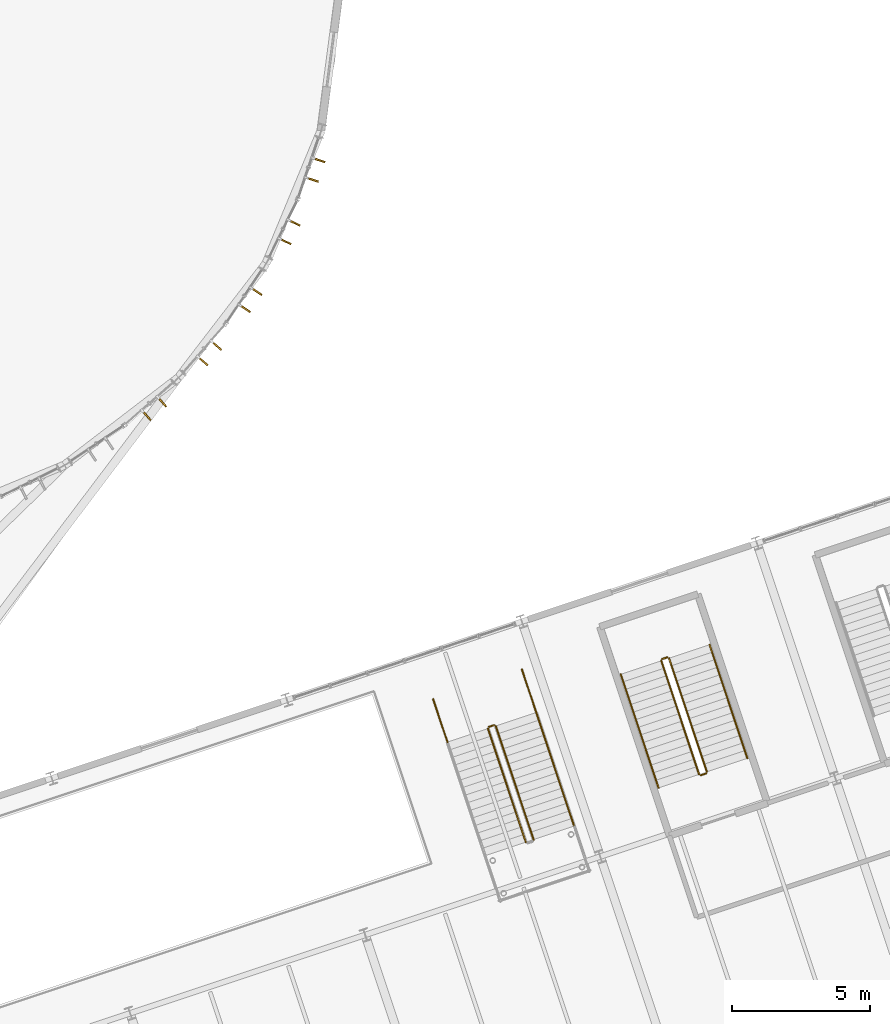
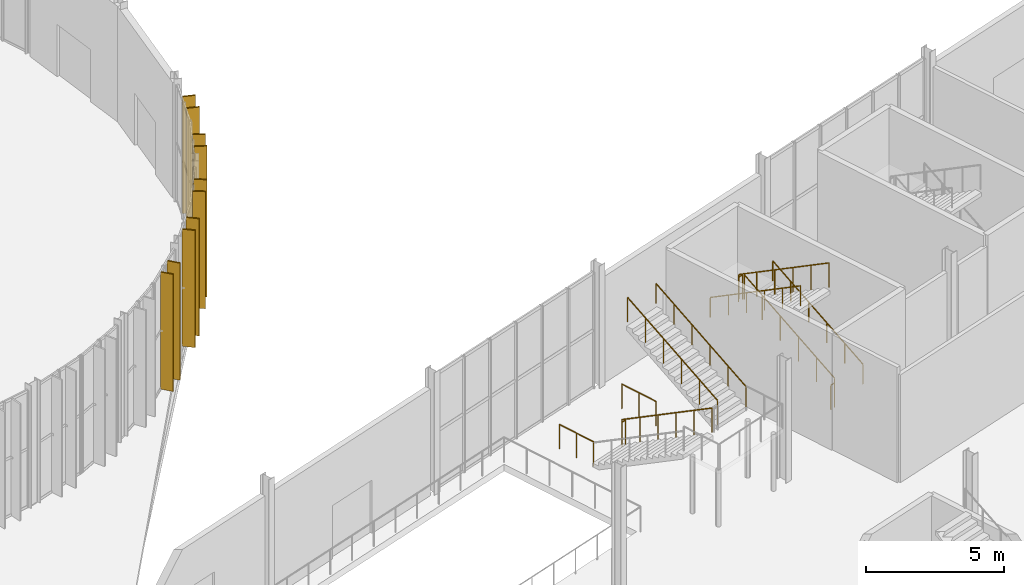
# One storey, part 147 of 158: 12 railings, 10 coverings.
"""IFC4 building model written with IfcOpenShell, lengths in metres."""

from ifc_helpers import new_model, si_unit, derived_unit, direction, frame, origin, origin_2d, place, context, subcontext, project, spatial, rectangle, circle, extrude, material, layer, layer_set, type_object, element, save


model = new_model("IFC4")

# Units and contexts
model_context = context("Model", 3, precision=1e-05, world=origin(), true_north=direction((0.0, 1.0)))
body_context = subcontext(model_context, "Body", "Model", "MODEL_VIEW")
ifc_project = project(units=[si_unit("LENGTHUNIT", "METRE"), si_unit("AREAUNIT", "SQUARE_METRE"), si_unit("VOLUMEUNIT", "CUBIC_METRE"), si_unit("PLANEANGLEUNIT", "RADIAN"), si_unit("MASSUNIT", "GRAM", prefix="KILO"), si_unit("THERMODYNAMICTEMPERATUREUNIT", "KELVIN"), si_unit("TIMEUNIT", "SECOND"), derived_unit("THERMALTRANSMITTANCEUNIT", [(si_unit("MASSUNIT", "GRAM", prefix="KILO"), 1), (si_unit("THERMODYNAMICTEMPERATUREUNIT", "KELVIN"), -1), (si_unit("TIMEUNIT", "SECOND"), -3)])], contexts=[model_context])

# Site, building, storey
site_placement = place(None, origin())
site = spatial("IfcSite", under=ifc_project, at=site_placement, CompositionType="ELEMENT")
building_placement = place(site_placement, origin())
building = spatial("IfcBuilding", under=site, at=building_placement, Name="Cambertide Market Hall", CompositionType="ELEMENT")
storey_placement = place(building_placement, origin())
storey = spatial("IfcBuildingStorey", under=building, at=storey_placement, Name="L01", CompositionType="ELEMENT", Elevation=0.0)

# Railings
ifc_material_1 = material(Name="Stainless Steel Grade 316", Category="metal")
railing_type_1 = type_object("IfcRailingType", Name="Stair Wall Handrail 900", PredefinedType="HANDRAIL", material=ifc_material_1)
railing_1_placement = place(storey_placement, frame((139.8046875, 44.033935546875, 0.168701171875)))
element("IfcRailing", 1, at=railing_1_placement, inside=storey, type_object=railing_type_1, Name="Level 1 ST-06B stair handrail 1", PredefinedType="HANDRAIL", context=body_context, shape_type="SweptSolid", body=[
    extrude(circle(Radius=0.02392578125, at=origin_2d()), frame((0.0, 0.0, 0.8759765625), z_axis=(-0.273305608968, 0.819965336951, 0.502952174969), x_axis=(-0.948688910449, -0.316210928324, 0.0)), (0.0, 0.0, 1.0), 5.03271484375),
    extrude(circle(Radius=0.02099609375, at=origin_2d()), origin(), (0.0, 0.0, 1.0), 0.851806640625),
    extrude(circle(Radius=0.02099609375, at=origin_2d()), frame((-0.275146484375, 0.825439453125, 0.50634765625)), (0.0, 0.0, 1.0), 0.851806640625),
    extrude(circle(Radius=0.02099609375, at=origin_2d()), frame((-0.55029296875, 1.650634765625, 1.012451171875)), (0.0, 0.0, 1.0), 0.851806640625),
    extrude(circle(Radius=0.02099609375, at=origin_2d()), frame((-0.8251953125, 2.47607421875, 1.518798828125)), (0.0, 0.0, 1.0), 0.851806640625),
    extrude(circle(Radius=0.02099609375, at=origin_2d()), frame((-1.100341796875, 3.30126953125, 2.02490234375)), (0.0, 0.0, 1.0), 0.851806640625),
    extrude(circle(Radius=0.02099609375, at=origin_2d()), frame((-1.37548828125, 4.126708984375, 2.53125)), (0.0, 0.0, 1.0), 0.851806640625),
])
railing_2_placement = place(storey_placement, frame((135.20361328125, 47.08544921875, 2.86865234375)))
element("IfcRailing", 2, at=railing_2_placement, inside=storey, type_object=railing_type_1, Name="Level 1 ST-06B stair handrail 2", PredefinedType="HANDRAIL", context=body_context, shape_type="SweptSolid", body=[
    extrude(circle(Radius=0.02392578125, at=origin_2d()), frame((0.0, 0.0, 0.8759765625), z_axis=(0.273350494618, -0.819954465046, 0.502945506336), x_axis=(0.948672072557, 0.316261440505, 0.0)), (0.0, 0.0, 1.0), 5.032958984375),
    extrude(circle(Radius=0.02099609375, at=origin_2d()), origin(), (0.0, 0.0, 1.0), 0.851806640625),
    extrude(circle(Radius=0.02099609375, at=origin_2d()), frame((0.275146484375, -0.825439453125, 0.50634765625)), (0.0, 0.0, 1.0), 0.851806640625),
    extrude(circle(Radius=0.02099609375, at=origin_2d()), frame((0.55029296875, -1.650634765625, 1.012451171875)), (0.0, 0.0, 1.0), 0.851806640625),
    extrude(circle(Radius=0.02099609375, at=origin_2d()), frame((0.825439453125, -2.47607421875, 1.518798828125)), (0.0, 0.0, 1.0), 0.851806640625),
    extrude(circle(Radius=0.02099609375, at=origin_2d()), frame((1.1005859375, -3.30126953125, 2.02490234375)), (0.0, 0.0, 1.0), 0.851806640625),
    extrude(circle(Radius=0.02099609375, at=origin_2d()), frame((1.375732421875, -4.126708984375, 2.53125)), (0.0, 0.0, 1.0), 0.851806640625),
])
railing_3_placement = place(storey_placement, frame((133.51171875, 41.5673828125, 2.86865234375)))
element("IfcRailing", 3, at=railing_3_placement, inside=storey, type_object=railing_type_1, Name="Level 1 ST-12 stair handrail 2", PredefinedType="HANDRAIL", context=body_context, shape_type="SweptSolid", body=[
    extrude(circle(Radius=0.02392578125, at=origin_2d()), frame((0.0, 0.0, 0.8759765625), z_axis=(-0.273305608968, 0.819965336951, 0.502952174969), x_axis=(-0.948688910449, -0.316210928324, 0.0)), (0.0, 0.0, 1.0), 5.03271484375),
    extrude(circle(Radius=0.02099609375, at=origin_2d()), origin(), (0.0, 0.0, 1.0), 0.851806640625),
    extrude(circle(Radius=0.02099609375, at=origin_2d()), frame((-0.275146484375, 0.825439453125, 0.50634765625)), (0.0, 0.0, 1.0), 0.851806640625),
    extrude(circle(Radius=0.02099609375, at=origin_2d()), frame((-0.55029296875, 1.650634765625, 1.012451171875)), (0.0, 0.0, 1.0), 0.851806640625),
    extrude(circle(Radius=0.02099609375, at=origin_2d()), frame((-0.8251953125, 2.47607421875, 1.518798828125)), (0.0, 0.0, 1.0), 0.851806640625),
    extrude(circle(Radius=0.02099609375, at=origin_2d()), frame((-1.100341796875, 3.30126953125, 2.02490234375)), (0.0, 0.0, 1.0), 0.851806640625),
    extrude(circle(Radius=0.02099609375, at=origin_2d()), frame((-1.37548828125, 4.126708984375, 2.53125)), (0.0, 0.0, 1.0), 0.851806640625),
])
ifc_material_2 = material(Name="Stainless Steel Grade 316", Category="metal")
railing_type_2 = type_object("IfcRailingType", Name="Stairwell Inner Guardrail 1100", PredefinedType="GUARDRAIL", material=ifc_material_2)
railing_4_placement = place(storey_placement, frame((138.334228515625, 43.543701171875, 0.168701171875)))
element("IfcRailing", 4, at=railing_4_placement, inside=storey, type_object=railing_type_2, Name="Level 1 ST-06B stair guard 1", PredefinedType="GUARDRAIL", context=body_context, shape_type="SweptSolid", body=[
    extrude(circle(Radius=0.02392578125, at=origin_2d()), frame((0.0, 0.0, 1.076171875), z_axis=(-0.273305608968, 0.819965336951, 0.502952174969), x_axis=(-0.948688910449, -0.316210928324, 0.0)), (0.0, 0.0, 1.0), 5.03271484375),
    extrude(circle(Radius=0.02099609375, at=origin_2d()), origin(), (0.0, 0.0, 1.0), 1.052001953125),
    extrude(circle(Radius=0.02099609375, at=origin_2d()), frame((-0.275146484375, 0.825439453125, 0.50634765625)), (0.0, 0.0, 1.0), 1.052001953125),
    extrude(circle(Radius=0.02099609375, at=origin_2d()), frame((-0.55029296875, 1.650634765625, 1.012451171875)), (0.0, 0.0, 1.0), 1.052001953125),
    extrude(circle(Radius=0.02099609375, at=origin_2d()), frame((-0.8251953125, 2.47607421875, 1.518798828125)), (0.0, 0.0, 1.0), 1.052001953125),
    extrude(circle(Radius=0.02099609375, at=origin_2d()), frame((-1.100341796875, 3.30126953125, 2.02490234375)), (0.0, 0.0, 1.0), 1.052001953125),
    extrude(circle(Radius=0.02099609375, at=origin_2d()), frame((-1.37548828125, 4.126708984375, 2.53125)), (0.0, 0.0, 1.0), 1.052001953125),
])
railing_5_placement = place(storey_placement, frame((136.8955078125, 47.7021484375, 2.699951171875)))
element("IfcRailing", 5, at=railing_5_placement, inside=storey, type_object=railing_type_2, Name="Level 1 ST-06B stair guard 2", PredefinedType="GUARDRAIL", context=body_context, shape_type="SweptSolid", body=[
    extrude(circle(Radius=0.02392578125, at=origin_2d()), frame((0.0, 0.0, 1.076171875), z_axis=(-0.948683298051, -0.316227766017, 0.0), x_axis=(0.316227766017, -0.948683298051, 0.0)), (0.0, 0.0, 1.0), 0.199951171875),
    extrude(circle(Radius=0.02099609375, at=origin_2d()), origin(), (0.0, 0.0, 1.0), 1.052001953125),
    extrude(circle(Radius=0.02099609375, at=origin_2d()), frame((-0.189697265625, -0.063232421875, 0.0)), (0.0, 0.0, 1.0), 1.052001953125),
])
railing_6_placement = place(storey_placement, frame((136.674072265625, 47.57568359375, 2.86865234375)))
element("IfcRailing", 6, at=railing_6_placement, inside=storey, type_object=railing_type_2, Name="Level 1 ST-06B stair guard 3", PredefinedType="GUARDRAIL", context=body_context, shape_type="SweptSolid", body=[
    extrude(circle(Radius=0.02392578125, at=origin_2d()), frame((0.0, 0.0, 1.076171875), z_axis=(0.273339622292, -0.819970359401, 0.502925502027), x_axis=(0.948677685752, 0.316244602414, 0.0)), (0.0, 0.0, 1.0), 5.032958984375),
    extrude(circle(Radius=0.02099609375, at=origin_2d()), origin(), (0.0, 0.0, 1.0), 1.052001953125),
    extrude(circle(Radius=0.02099609375, at=origin_2d()), frame((0.275146484375, -0.825439453125, 0.50634765625)), (0.0, 0.0, 1.0), 1.052001953125),
    extrude(circle(Radius=0.02099609375, at=origin_2d()), frame((0.55029296875, -1.65087890625, 1.012451171875)), (0.0, 0.0, 1.0), 1.052001953125),
    extrude(circle(Radius=0.02099609375, at=origin_2d()), frame((0.825439453125, -2.47607421875, 1.518798828125)), (0.0, 0.0, 1.0), 1.052001953125),
    extrude(circle(Radius=0.02099609375, at=origin_2d()), frame((1.1005859375, -3.301513671875, 2.02490234375)), (0.0, 0.0, 1.0), 1.052001953125),
    extrude(circle(Radius=0.02099609375, at=origin_2d()), frame((1.375732421875, -4.126953125, 2.53125)), (0.0, 0.0, 1.0), 1.052001953125),
])
railing_7_placement = place(storey_placement, frame((138.302734375, 43.48046875, 0.0)))
element("IfcRailing", 7, at=railing_7_placement, inside=storey, type_object=railing_type_2, Name="Level 1 ST-06B stair guard 4", PredefinedType="GUARDRAIL", context=body_context, shape_type="SweptSolid", body=[
    extrude(circle(Radius=0.02392578125, at=origin_2d()), frame((0.0, 0.0, 1.076171875), z_axis=(-0.948683298051, -0.316227766017, 0.0), x_axis=(0.316227766017, -0.948683298051, 0.0)), (0.0, 0.0, 1.0), 0.199951171875),
    extrude(circle(Radius=0.02099609375, at=origin_2d()), origin(), (0.0, 0.0, 1.0), 1.052001953125),
    extrude(circle(Radius=0.02099609375, at=origin_2d()), frame((-0.189697265625, -0.063232421875, 0.0)), (0.0, 0.0, 1.0), 1.052001953125),
])
railing_8_placement = place(storey_placement, frame((130.381103515625, 45.109130859375, 0.168701171875)))
element("IfcRailing", 8, at=railing_8_placement, inside=storey, type_object=railing_type_2, Name="Level 1 ST-12 stair guard 1", PredefinedType="GUARDRAIL", context=body_context, shape_type="SweptSolid", body=[
    extrude(circle(Radius=0.02392578125, at=origin_2d()), frame((0.0, 0.0, 1.076171875), z_axis=(0.273339622292, -0.819970359401, 0.502925502027), x_axis=(0.948677685752, 0.316244602414, 0.0)), (0.0, 0.0, 1.0), 5.032958984375),
    extrude(circle(Radius=0.02099609375, at=origin_2d()), origin(), (0.0, 0.0, 1.0), 1.052001953125),
    extrude(circle(Radius=0.02099609375, at=origin_2d()), frame((0.275146484375, -0.825439453125, 0.50634765625)), (0.0, 0.0, 1.0), 1.052001953125),
    extrude(circle(Radius=0.02099609375, at=origin_2d()), frame((0.55029296875, -1.65087890625, 1.012451171875)), (0.0, 0.0, 1.0), 1.052001953125),
    extrude(circle(Radius=0.02099609375, at=origin_2d()), frame((0.825439453125, -2.47607421875, 1.518798828125)), (0.0, 0.0, 1.0), 1.052001953125),
    extrude(circle(Radius=0.02099609375, at=origin_2d()), frame((1.1005859375, -3.301513671875, 2.02490234375)), (0.0, 0.0, 1.0), 1.052001953125),
    extrude(circle(Radius=0.02099609375, at=origin_2d()), frame((1.375732421875, -4.126953125, 2.53125)), (0.0, 0.0, 1.0), 1.052001953125),
])
railing_9_placement = place(storey_placement, frame((132.041259765625, 41.0771484375, 2.86865234375)))
element("IfcRailing", 9, at=railing_9_placement, inside=storey, type_object=railing_type_2, Name="Level 1 ST-12 stair guard 6", PredefinedType="GUARDRAIL", context=body_context, shape_type="SweptSolid", body=[
    extrude(circle(Radius=0.02392578125, at=origin_2d()), frame((0.0, 0.0, 1.076171875), z_axis=(-0.273305608968, 0.819965336951, 0.502952174969), x_axis=(-0.948688910449, -0.316210928324, 0.0)), (0.0, 0.0, 1.0), 5.03271484375),
    extrude(circle(Radius=0.02099609375, at=origin_2d()), origin(), (0.0, 0.0, 1.0), 1.052001953125),
    extrude(circle(Radius=0.02099609375, at=origin_2d()), frame((-0.275146484375, 0.825439453125, 0.50634765625)), (0.0, 0.0, 1.0), 1.052001953125),
    extrude(circle(Radius=0.02099609375, at=origin_2d()), frame((-0.55029296875, 1.650634765625, 1.012451171875)), (0.0, 0.0, 1.0), 1.052001953125),
    extrude(circle(Radius=0.02099609375, at=origin_2d()), frame((-0.8251953125, 2.47607421875, 1.518798828125)), (0.0, 0.0, 1.0), 1.052001953125),
    extrude(circle(Radius=0.02099609375, at=origin_2d()), frame((-1.100341796875, 3.30126953125, 2.02490234375)), (0.0, 0.0, 1.0), 1.052001953125),
    extrude(circle(Radius=0.02099609375, at=origin_2d()), frame((-1.37548828125, 4.126708984375, 2.53125)), (0.0, 0.0, 1.0), 1.052001953125),
])
railing_10_placement = place(storey_placement, frame((130.412841796875, 45.17236328125, 0.0)))
element("IfcRailing", 10, at=railing_10_placement, inside=storey, type_object=railing_type_2, Name="Level 1 ST-12 stair guard 7", PredefinedType="GUARDRAIL", context=body_context, shape_type="SweptSolid", body=[
    extrude(circle(Radius=0.02392578125, at=origin_2d()), frame((0.0, 0.0, 1.076171875), z_axis=(0.948683298051, 0.316227766017, 0.0), x_axis=(-0.316227766017, 0.948683298051, 0.0)), (0.0, 0.0, 1.0), 0.199951171875),
    extrude(circle(Radius=0.02099609375, at=origin_2d()), origin(), (0.0, 0.0, 1.0), 1.052001953125),
    extrude(circle(Radius=0.02099609375, at=origin_2d()), frame((0.189697265625, 0.063232421875, 0.0)), (0.0, 0.0, 1.0), 1.052001953125),
])
railing_11_placement = place(storey_placement, frame((128.388916015625, 46.184326171875, 0.0)))
element("IfcRailing", 11, at=railing_11_placement, inside=storey, type_object=railing_type_2, Name="Level 1 ST-12 stair guard 8", PredefinedType="GUARDRAIL", context=body_context, shape_type="SweptSolid", body=[
    extrude(circle(Radius=0.02392578125, at=origin_2d()), frame((0.0, 0.0, 1.076171875), z_axis=(0.316183378673, -0.948698092678, 0.0), x_axis=(0.948698092678, 0.316183378673, 0.0)), (0.0, 0.0, 1.0), 1.650146484375),
    extrude(circle(Radius=0.02099609375, at=origin_2d()), origin(), (0.0, 0.0, 1.0), 1.052001953125),
    extrude(circle(Radius=0.02099609375, at=origin_2d()), frame((0.2607421875, -0.78271484375, 0.0)), (0.0, 0.0, 1.0), 1.052001953125),
    extrude(circle(Radius=0.02099609375, at=origin_2d()), frame((0.521728515625, -1.5654296875, 0.0)), (0.0, 0.0, 1.0), 1.052001953125),
])
railing_12_placement = place(storey_placement, frame((131.614501953125, 47.25927734375, 0.0)))
element("IfcRailing", 12, at=railing_12_placement, inside=storey, type_object=railing_type_2, Name="Level 1 ST-12 stair guard 9", PredefinedType="GUARDRAIL", context=body_context, shape_type="SweptSolid", body=[
    extrude(circle(Radius=0.02392578125, at=origin_2d()), frame((0.0, 0.0, 1.076171875), z_axis=(0.316227766017, -0.948683298051, 0.0), x_axis=(0.948683298051, 0.316227766017, 0.0)), (0.0, 0.0, 1.0), 1.64990234375),
    extrude(circle(Radius=0.02099609375, at=origin_2d()), origin(), (0.0, 0.0, 1.0), 1.052001953125),
    extrude(circle(Radius=0.02099609375, at=origin_2d()), frame((0.2607421875, -0.78271484375, 0.0)), (0.0, 0.0, 1.0), 1.052001953125),
    extrude(circle(Radius=0.02099609375, at=origin_2d()), frame((0.521728515625, -1.565185546875, 0.0)), (0.0, 0.0, 1.0), 1.052001953125),
])

# Coverings
ifc_material_3 = material(Name="White Marine Anodized Aluminium 6063-T6 AA25", Category="aluminium")
ifc_layer = layer(ifc_material_3, 0.06005859375, Name="White Anodized Lantern Vertical Fin 480x60")
ifc_layer_set = layer_set([ifc_layer], Name="White Marine Anodized Aluminium 6063-T6 AA25")
covering_type = type_object("IfcCoveringType", Name="White Anodized Lantern Vertical Fin 480x60", PredefinedType="CLADDING", material=ifc_layer_set)
for number, where, z_axis, x_axis, name in (
    (13, (118.536865234375, 56.981201171875, 0.0), (0.0, 0.0, 1.0), (-0.751839834741, -0.659345784014, 0.0), "CW-V1AE-L01-06 Vertical Fin 1"),
    (14, (117.972900390625, 56.48681640625, 0.0), (0.0, 0.0, 1.0), (-0.751839834741, -0.659345784014, 0.0), "CW-V1AE-L01-06 Vertical Fin 2"),
    (15, (120.51318359375, 59.027099609375, 0.0), (0.0, 0.0, 1.0), (-0.659345784014, -0.751839834741, 0.0), "CW-V1AE-L01-07 Vertical Fin 1"),
    (16, (120.018798828125, 58.463134765625, 0.0), (0.0, 0.0, 1.0), (-0.659345784014, -0.751839834741, 0.0), "CW-V1AE-L01-07 Vertical Fin 2"),
    (17, (121.962646484375, 60.99658203125, 0.0), (0.0, 0.0, 1.0), (-0.555570087582, -0.831469709481, 0.0), "CW-V1AE-L01-08 Vertical Fin 1"),
    (18, (121.546142578125, 60.373046875, 0.0), (0.0, 0.0, 1.0), (-0.555570087582, -0.831469709481, 0.0), "CW-V1AE-L01-08 Vertical Fin 2"),
    (19, (123.34228515625, 63.484130859375, 0.0), (0.0, 0.0, 1.0), (-0.442288874522, -0.896872650645, 0.0), "CW-V1AE-L01-09 Vertical Fin 1"),
    (20, (123.010498046875, 62.8115234375, 0.0), (0.0, 0.0, 1.0), (-0.442288874522, -0.896872650645, 0.0), "CW-V1AE-L01-09 Vertical Fin 2"),
    (21, (124.232666015625, 65.76171875, 0.0), (0.0, 0.0, 1.0), (-0.32143947831, -0.94693012508, 0.0), "CW-V1AE-L01-10 Vertical Fin 1"),
    (22, (123.991455078125, 65.051513671875, 0.0), (0.0, 0.0, 1.0), (-0.32143947831, -0.94693012508, 0.0), "CW-V1AE-L01-10 Vertical Fin 2"),
):
    element("IfcCovering", number, at=place(storey_placement, frame(where, z_axis=z_axis, x_axis=x_axis)), inside=storey, type_object=covering_type, Name=name, PredefinedType="CLADDING", context=body_context, shape_type="SweptSolid", body=[
        extrude(rectangle(XDim=0.06005859375, YDim=0.47998046875, at=origin_2d()), origin(), (0.0, 0.0, 1.0), 5.159912109375),
    ])

save(model, "model.ifc")
